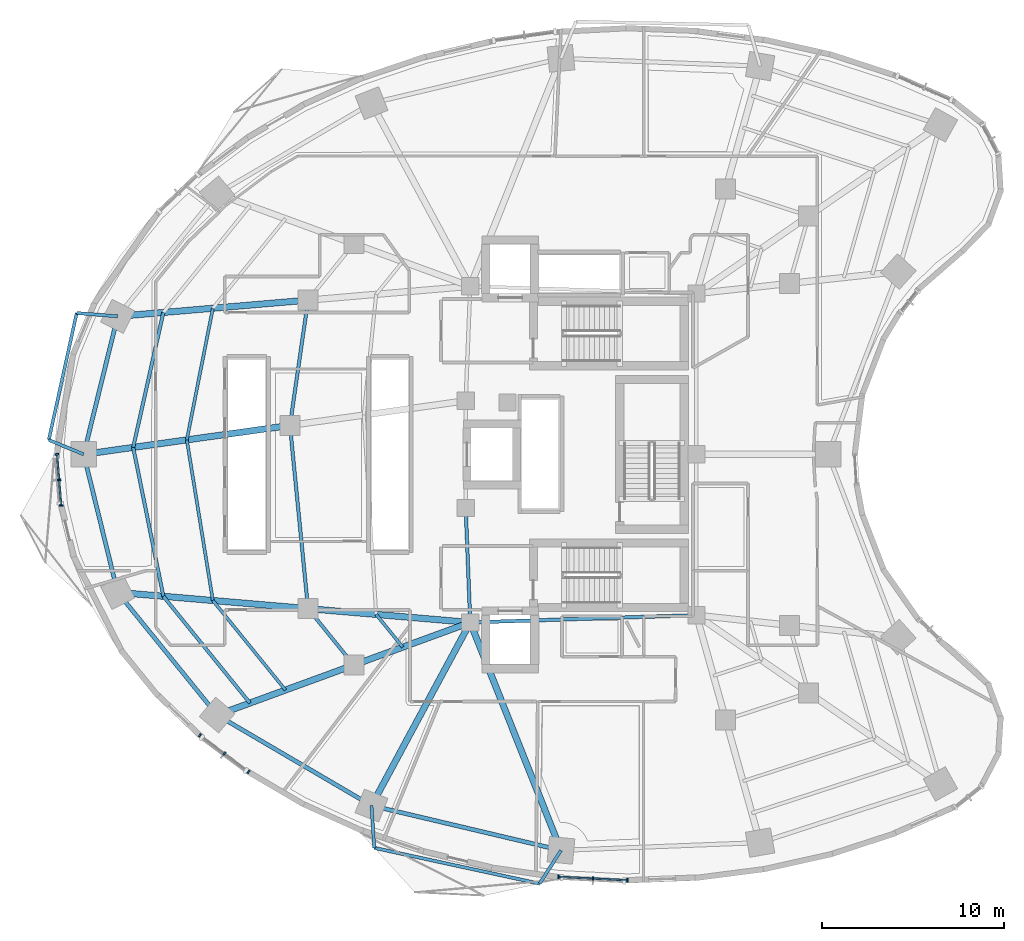
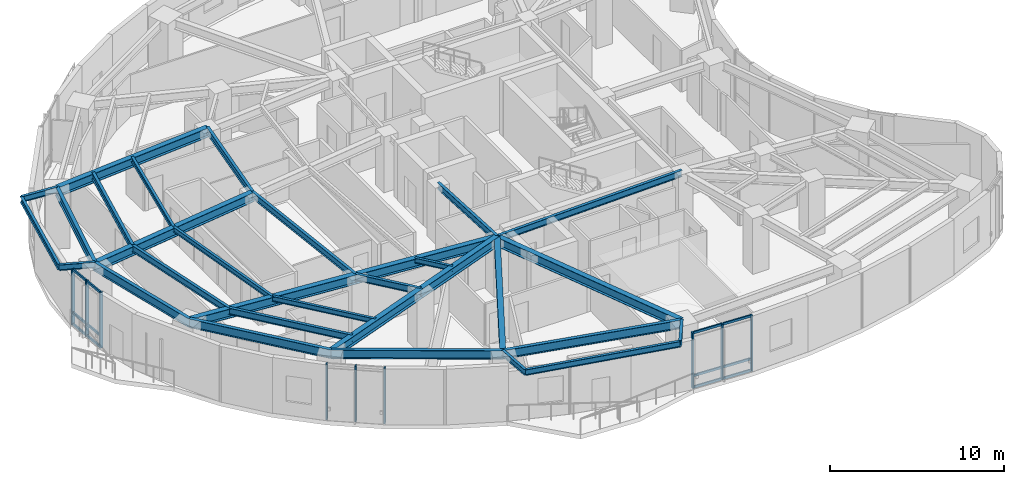
# One storey, part 2 of 15: 31 beams, 21 members, 3 elements without a shape of their own.
"""IFC4 building model written with IfcOpenShell, lengths in metres."""

from ifc_helpers import new_model, si_unit, direction, frame, origin, origin_2d, place, context, subcontext, project, spatial, rectangle, i_section, extrude, material, layer, layer_set, material_profile, profile_set, type_object, element, aggregate, save


model = new_model("IFC4")

# Units and contexts
model_context = context("Model", 3, precision=1e-05, world=origin(), true_north=direction((0.0, 1.0)))
body_context = subcontext(model_context, "Body", "Model", "MODEL_VIEW")
ifc_project = project(units=[si_unit("LENGTHUNIT", "METRE"), si_unit("AREAUNIT", "SQUARE_METRE"), si_unit("VOLUMEUNIT", "CUBIC_METRE"), si_unit("PLANEANGLEUNIT", "RADIAN"), si_unit("MASSUNIT", "GRAM", prefix="KILO")], contexts=[model_context])

# Site, building, storey
site_placement = place(None, origin())
site = spatial("IfcSite", under=ifc_project, at=site_placement, CompositionType="ELEMENT")
building_placement = place(site_placement, origin())
building = spatial("IfcBuilding", under=site, at=building_placement, Name="Korentha Bioscience Tower", CompositionType="ELEMENT")
storey_placement = place(building_placement, frame((0.0, 0.0, 38.39990234375)))
storey = spatial("IfcBuildingStorey", under=building, at=storey_placement, Name="L08", CompositionType="ELEMENT", Elevation=38.39990234375)

# Beams
ifc_material_1 = material(Name="Steel S355", Category="steel")
ifc_material_profile_1 = material_profile(ifc_material_1, i_section(OverallWidth=0.18994140625, OverallDepth=0.45703125, WebThickness=0.009033203125, FlangeThickness=0.014404296875, at=origin_2d()), Name="Steel S355")
ifc_profile_set_1 = profile_set([ifc_material_profile_1], Name="Steel S355 (MB-460)")
beam_type_1 = type_object("IfcBeamType", Name="Mid-Ring Tie Girder W460x74", PredefinedType="BEAM", material=ifc_profile_set_1)
beam_1_placement = place(storey_placement, frame((16.174072265625, 35.489013671875, 3.671630859375), z_axis=(-0.14286846228, -0.989741684727, 0.0), x_axis=(0.989741684727, -0.14286846228, 0.0)))
element("IfcBeam", 1, at=beam_1_placement, inside=storey, type_object=beam_type_1, Name="L08 Mid-Ring Tie Girder 06", PredefinedType="BEAM", context=body_context, shape_type="SweptSolid", body=[
    extrude(i_section(OverallWidth=0.18994140625, OverallDepth=0.45703125, WebThickness=0.009033203125, FlangeThickness=0.014404296875, at=origin_2d()), origin(), (0.0, 0.0, 1.0), 6.967041015625),
])
beam_2_placement = place(storey_placement, frame((15.1787109375, 28.593505859375, 3.671630859375), z_axis=(0.098243909277, -0.995162365793, 0.0), x_axis=(0.995162365793, 0.098243909277, 0.0)))
element("IfcBeam", 2, at=beam_2_placement, inside=storey, type_object=beam_type_1, Name="L08 Mid-Ring Tie Girder 07", PredefinedType="BEAM", context=body_context, shape_type="SweptSolid", body=[
    extrude(i_section(OverallWidth=0.18994140625, OverallDepth=0.45703125, WebThickness=0.009033203125, FlangeThickness=0.014404296875, at=origin_2d()), origin(), (0.0, 0.0, 1.0), 10.131591796875),
])
beam_3_placement = place(storey_placement, frame((16.174072265625, 18.510986328125, 3.671630859375), z_axis=(0.629790009744, -0.776765436684, 0.0), x_axis=(0.776765436684, 0.629790009744, 0.0)))
element("IfcBeam", 3, at=beam_3_placement, inside=storey, type_object=beam_type_1, Name="L08 Mid-Ring Tie Girder 08", PredefinedType="BEAM", context=body_context, shape_type="SweptSolid", body=[
    extrude(i_section(OverallWidth=0.18994140625, OverallDepth=0.45703125, WebThickness=0.009033203125, FlangeThickness=0.014404296875, at=origin_2d()), origin(), (0.0, 0.0, 1.0), 3.998291015625),
])
beam_4_placement = place(storey_placement, frame((24.85009765625, 24.050048828125, 3.671630859375), z_axis=(0.039651025576, -0.999213588864, 0.0), x_axis=(0.999213588864, 0.039651025576, 0.0)))
element("IfcBeam", 4, at=beam_4_placement, inside=storey, type_object=beam_type_1, Name="L08 Core Ring Tie Girder 04", PredefinedType="BEAM", context=body_context, shape_type="SweptSolid", body=[
    extrude(i_section(OverallWidth=0.18994140625, OverallDepth=0.45703125, WebThickness=0.009033203125, FlangeThickness=0.014404296875, at=origin_2d()), origin(), (0.0, 0.0, 1.0), 6.304931640625),
])
beam_5_placement = place(storey_placement, frame((25.10009765625, 17.75, 3.671630859375), z_axis=(0.999484526071, 0.032104238723, 0.0), x_axis=(-0.032104238723, 0.999484526071, 0.0)))
element("IfcBeam", 5, at=beam_5_placement, inside=storey, type_object=beam_type_1, Name="L08 Core Ring Tie Girder 05", PredefinedType="BEAM", context=body_context, shape_type="SweptSolid", body=[
    extrude(i_section(OverallWidth=0.18994140625, OverallDepth=0.45703125, WebThickness=0.009033203125, FlangeThickness=0.014404296875, at=origin_2d()), origin(), (0.0, 0.0, 1.0), 12.456298828125),
])

# Curtain wall, members
ifc_material_2 = material(Name="Thermally Broken Aluminium Frame", Category="aluminium")
ifc_layer = layer(ifc_material_2, 0.219970703125, Name="Thermally Broken Aluminium Frame")
ifc_layer_set = layer_set([ifc_layer], Name="Thermally Broken Aluminium Frame (CW-T2)")
curtain_wall_type = type_object("IfcCurtainWallType", Name="Solar-Screened Lab Unitised Curtain Wall CW-T2", PredefinedType="USERDEFINED", material=ifc_layer_set)
curtain_wall_1_placement = place(storey_placement, origin())
curtain_wall_1 = element("IfcCurtainWall", 6, at=curtain_wall_1_placement, inside=storey, type_object=curtain_wall_type, Name="L08 Curtain Wall 19", ObjectType="UNITISED", PredefinedType="USERDEFINED")
ifc_material_3 = material(Name="Anodised Aluminium 6063-T6", Category="aluminium")
ifc_material_profile_2 = material_profile(ifc_material_3, rectangle(XDim=0.090087890625, YDim=0.199951171875, at=origin_2d()), Name="Anodised Aluminium 6063-T6")
ifc_profile_set_2 = profile_set([ifc_material_profile_2], Name="Anodised Aluminium 6063-T6 (CW-MUL)")
member_type_1 = type_object("IfcMemberType", Name="Mullion RECT 90x200", PredefinedType="MULLION", material=ifc_profile_set_2)
member_1_placement = place(storey_placement, frame((2.35986328125, 27.0078125, 0.0), z_axis=(0.0, 0.0, 1.0), x_axis=(0.080820466375, -0.996728675325, 0.0)))
member_1 = element("IfcMember", 7, at=member_1_placement, type_object=member_type_1, Name="CW-L08-19 Mullion 1", PredefinedType="MULLION", context=body_context, shape_type="SweptSolid", body=[
    extrude(rectangle(XDim=0.090087890625, YDim=0.199951171875, at=origin_2d()), origin(), (0.0, 0.0, 1.0), 3.900146484375),
])
member_2_placement = place(storey_placement, frame((2.474365234375, 25.597412109375, 0.0), z_axis=(0.0, 0.0, 1.0), x_axis=(0.080820466375, -0.996728675325, 0.0)))
member_2 = element("IfcMember", 8, at=member_2_placement, type_object=member_type_1, Name="CW-L08-19 Mullion 2", PredefinedType="MULLION", context=body_context, shape_type="SweptSolid", body=[
    extrude(rectangle(XDim=0.090087890625, YDim=0.199951171875, at=origin_2d()), origin(), (0.0, 0.0, 1.0), 3.900146484375),
])
member_3_placement = place(storey_placement, frame((2.588623046875, 24.187255859375, 0.0), z_axis=(0.0, 0.0, 1.0), x_axis=(0.080820466375, -0.996728675325, 0.0)))
member_3 = element("IfcMember", 9, at=member_3_placement, type_object=member_type_1, Name="CW-L08-19 Mullion 3", PredefinedType="MULLION", context=body_context, shape_type="SweptSolid", body=[
    extrude(rectangle(XDim=0.090087890625, YDim=0.199951171875, at=origin_2d()), origin(), (0.0, 0.0, 1.0), 3.900146484375),
])

curtain_wall_2_placement = place(storey_placement, origin())
curtain_wall_2 = element("IfcCurtainWall", 10, at=curtain_wall_2_placement, inside=storey, type_object=curtain_wall_type, Name="L08 Curtain Wall 25", ObjectType="UNITISED", PredefinedType="USERDEFINED")
member_4_placement = place(storey_placement, frame((10.2216796875, 11.538818359375, 0.0), z_axis=(0.0, 0.0, 1.0), x_axis=(0.800797909614, -0.598934644145, 0.0)))
member_4 = element("IfcMember", 11, at=member_4_placement, type_object=member_type_1, Name="CW-L08-25 Mullion 1", PredefinedType="MULLION", context=body_context, shape_type="SweptSolid", body=[
    extrude(rectangle(XDim=0.090087890625, YDim=0.199951171875, at=origin_2d()), origin(), (0.0, 0.0, 1.0), 3.900146484375),
])
member_5_placement = place(storey_placement, frame((11.5634765625, 10.53515625, 0.0), z_axis=(0.0, 0.0, 1.0), x_axis=(0.800797909614, -0.598934644145, 0.0)))
member_5 = element("IfcMember", 12, at=member_5_placement, type_object=member_type_1, Name="CW-L08-25 Mullion 2", PredefinedType="MULLION", context=body_context, shape_type="SweptSolid", body=[
    extrude(rectangle(XDim=0.090087890625, YDim=0.199951171875, at=origin_2d()), origin(), (0.0, 0.0, 1.0), 3.900146484375),
])
member_6_placement = place(storey_placement, frame((12.9052734375, 9.53173828125, 0.0), z_axis=(0.0, 0.0, 1.0), x_axis=(0.800797909614, -0.598934644145, 0.0)))
member_6 = element("IfcMember", 13, at=member_6_placement, type_object=member_type_1, Name="CW-L08-25 Mullion 3", PredefinedType="MULLION", context=body_context, shape_type="SweptSolid", body=[
    extrude(rectangle(XDim=0.090087890625, YDim=0.199951171875, at=origin_2d()), origin(), (0.0, 0.0, 1.0), 3.900146484375),
])
aggregate(curtain_wall_2, [member_4, member_5, member_6])

curtain_wall_3_placement = place(storey_placement, origin())
curtain_wall_3 = element("IfcCurtainWall", 14, at=curtain_wall_3_placement, inside=storey, type_object=curtain_wall_type, Name="L08 Curtain Wall 31", ObjectType="UNITISED", PredefinedType="USERDEFINED")
member_7_placement = place(storey_placement, frame((29.9541015625, 3.75244140625, 0.0), z_axis=(0.0, 0.0, 1.0), x_axis=(0.998730551641, -0.050371472279, 0.0)))
member_7 = element("IfcMember", 15, at=member_7_placement, type_object=member_type_1, Name="CW-L08-31 Mullion 1", PredefinedType="MULLION", context=body_context, shape_type="SweptSolid", body=[
    extrude(rectangle(XDim=0.090087890625, YDim=0.199951171875, at=origin_2d()), origin(), (0.0, 0.0, 1.0), 3.900146484375),
])
member_8_placement = place(storey_placement, frame((31.855224609375, 3.656494140625, 0.0), z_axis=(0.0, 0.0, 1.0), x_axis=(0.998730551641, -0.050371472279, 0.0)))
member_8 = element("IfcMember", 16, at=member_8_placement, type_object=member_type_1, Name="CW-L08-31 Mullion 2", PredefinedType="MULLION", context=body_context, shape_type="SweptSolid", body=[
    extrude(rectangle(XDim=0.090087890625, YDim=0.199951171875, at=origin_2d()), origin(), (0.0, 0.0, 1.0), 3.900146484375),
])
member_9_placement = place(storey_placement, frame((33.75634765625, 3.560791015625, 0.0), z_axis=(0.0, 0.0, 1.0), x_axis=(0.998730551641, -0.050371472279, 0.0)))
member_9 = element("IfcMember", 17, at=member_9_placement, type_object=member_type_1, Name="CW-L08-31 Mullion 3", PredefinedType="MULLION", context=body_context, shape_type="SweptSolid", body=[
    extrude(rectangle(XDim=0.090087890625, YDim=0.199951171875, at=origin_2d()), origin(), (0.0, 0.0, 1.0), 3.900146484375),
])

# Beams
ifc_material_profile_3 = material_profile(ifc_material_1, i_section(OverallWidth=0.22802734375, OverallDepth=0.60791015625, WebThickness=0.01123046875, FlangeThickness=0.017333984375, at=origin_2d()), Name="Steel S355")
ifc_profile_set_3 = profile_set([ifc_material_profile_3], Name="Steel S355 (SB-610)")
beam_type_2 = type_object("IfcBeamType", Name="Perimeter Ring Spandrel Girder W610x113", PredefinedType="SPANDREL", material=ifc_profile_set_3)
beam_6_placement = place(storey_placement, frame((5.69580078125, 34.595703125, 3.59619140625), z_axis=(-0.239119105624, -0.970990243682, 0.0), x_axis=(0.970990243682, -0.239119105624, 0.0)))
element("IfcBeam", 18, at=beam_6_placement, inside=storey, type_object=beam_type_2, Name="L08 Perimeter Spandrel Girder 06", PredefinedType="SPANDREL", context=body_context, shape_type="SweptSolid", body=[
    extrude(i_section(OverallWidth=0.22802734375, OverallDepth=0.60791015625, WebThickness=0.01123046875, FlangeThickness=0.017333984375, at=origin_2d()), origin(), (0.0, 0.0, 1.0), 7.82177734375),
])
beam_7_placement = place(storey_placement, frame((3.825439453125, 27.000732421875, 3.59619140625), z_axis=(0.23907563132, -0.971000948768, 0.0), x_axis=(0.971000948768, 0.23907563132, 0.0)))
element("IfcBeam", 19, at=beam_7_placement, inside=storey, type_object=beam_type_2, Name="L08 Perimeter Spandrel Girder 07", PredefinedType="SPANDREL", context=body_context, shape_type="SweptSolid", body=[
    extrude(i_section(OverallWidth=0.22802734375, OverallDepth=0.60791015625, WebThickness=0.01123046875, FlangeThickness=0.017333984375, at=origin_2d()), origin(), (0.0, 0.0, 1.0), 7.8232421875),
])
beam_8_placement = place(storey_placement, frame((5.69580078125, 19.404296875, 3.59619140625), z_axis=(0.629799210231, -0.776757976974, 0.0), x_axis=(0.776757976974, 0.629799210231, 0.0)))
element("IfcBeam", 20, at=beam_8_placement, inside=storey, type_object=beam_type_2, Name="L08 Perimeter Spandrel Girder 08", PredefinedType="SPANDREL", context=body_context, shape_type="SweptSolid", body=[
    extrude(i_section(OverallWidth=0.22802734375, OverallDepth=0.60791015625, WebThickness=0.01123046875, FlangeThickness=0.017333984375, at=origin_2d()), origin(), (0.0, 0.0, 1.0), 8.69189453125),
])
beam_9_placement = place(storey_placement, frame((11.169921875, 12.65283203125, 3.59619140625), z_axis=(0.862656574181, -0.505790109653, 0.0), x_axis=(0.505790109653, 0.862656574181, 0.0)))
element("IfcBeam", 21, at=beam_9_placement, inside=storey, type_object=beam_type_2, Name="L08 Perimeter Spandrel Girder 09", PredefinedType="SPANDREL", context=body_context, shape_type="SweptSolid", body=[
    extrude(i_section(OverallWidth=0.22802734375, OverallDepth=0.60791015625, WebThickness=0.01123046875, FlangeThickness=0.017333984375, at=origin_2d()), origin(), (0.0, 0.0, 1.0), 9.849365234375),
])
beam_10_placement = place(storey_placement, frame((19.66650390625, 7.671142578125, 3.59619140625), z_axis=(0.973207885376, -0.229926970672, 0.0), x_axis=(0.229926970672, 0.973207885376, 0.0)))
element("IfcBeam", 22, at=beam_10_placement, inside=storey, type_object=beam_type_2, Name="L08 Perimeter Spandrel Girder 10", PredefinedType="SPANDREL", context=body_context, shape_type="SweptSolid", body=[
    extrude(i_section(OverallWidth=0.22802734375, OverallDepth=0.60791015625, WebThickness=0.01123046875, FlangeThickness=0.017333984375, at=origin_2d()), origin(), (0.0, 0.0, 1.0), 10.71484375),
])
ifc_material_profile_4 = material_profile(ifc_material_1, i_section(OverallWidth=0.18994140625, OverallDepth=0.45703125, WebThickness=0.009033203125, FlangeThickness=0.014404296875, at=origin_2d()), Name="Steel S355")
ifc_profile_set_4 = profile_set([ifc_material_profile_4], Name="Steel S355 (RB-460)")
beam_type_3 = type_object("IfcBeamType", Name="Radial Laboratory Beam W460x74", PredefinedType="BEAM", material=ifc_profile_set_4)
beam_11_placement = place(storey_placement, frame((8.21044921875, 34.81005859375, 3.671630859375), z_axis=(-0.218146323162, -0.975916073077, 0.0), x_axis=(0.975916073077, -0.218146323162, 0.0)))
element("IfcBeam", 23, at=beam_11_placement, inside=storey, type_object=beam_type_3, Name="L08 Secondary Floor Beam JSTO-06", PredefinedType="BEAM", context=body_context, shape_type="SweptSolid", body=[
    extrude(i_section(OverallWidth=0.18994140625, OverallDepth=0.45703125, WebThickness=0.009033203125, FlangeThickness=0.014404296875, at=origin_2d()), origin(), (0.0, 0.0, 1.0), 7.6103515625),
])
beam_12_placement = place(storey_placement, frame((6.55029296875, 27.383056640625, 3.671630859375), z_axis=(0.198592296955, -0.980082190222, 0.0), x_axis=(0.980082190222, 0.198592296955, 0.0)))
element("IfcBeam", 24, at=beam_12_placement, inside=storey, type_object=beam_type_3, Name="L08 Secondary Floor Beam JSTO-07", PredefinedType="BEAM", context=body_context, shape_type="SweptSolid", body=[
    extrude(i_section(OverallWidth=0.18994140625, OverallDepth=0.45703125, WebThickness=0.009033203125, FlangeThickness=0.014404296875, at=origin_2d()), origin(), (0.0, 0.0, 1.0), 8.359619140625),
])
beam_13_placement = place(storey_placement, frame((8.21044921875, 19.18994140625, 3.671630859375), z_axis=(0.629797748553, -0.776759162107, 0.0), x_axis=(0.776759162107, 0.629797748553, 0.0)))
element("IfcBeam", 25, at=beam_13_placement, inside=storey, type_object=beam_type_3, Name="L08 Secondary Floor Beam JSTO-08", PredefinedType="BEAM", context=body_context, shape_type="SweptSolid", body=[
    extrude(i_section(OverallWidth=0.18994140625, OverallDepth=0.45703125, WebThickness=0.009033203125, FlangeThickness=0.014404296875, at=origin_2d()), origin(), (0.0, 0.0, 1.0), 7.5654296875),
])
ifc_material_profile_5 = material_profile(ifc_material_1, i_section(OverallWidth=0.35009765625, OverallDepth=0.64990234375, WebThickness=0.01611328125, FlangeThickness=0.02490234375, at=origin_2d()), Name="Steel S355")
ifc_profile_set_5 = profile_set([ifc_material_profile_5], Name="Steel S355 (RB-650)")
beam_type_4 = type_object("IfcBeamType", Name="Radial Laboratory Girder CVS 650x208", PredefinedType="BEAM", material=ifc_profile_set_5)
beam_14_placement = place(storey_placement, frame((16.174072265625, 35.489013671875, 3.5751953125), z_axis=(-0.996385601055, -0.084945476695, 0.0), x_axis=(0.084945476695, -0.996385601055, 0.0)))
element("IfcBeam", 26, at=beam_14_placement, inside=storey, type_object=beam_type_4, Name="L08 Outer Radial Girder 06", PredefinedType="BEAM", context=body_context, shape_type="SweptSolid", body=[
    extrude(i_section(OverallWidth=0.35009765625, OverallDepth=0.64990234375, WebThickness=0.01611328125, FlangeThickness=0.02490234375, at=origin_2d()), origin(), (0.0, 0.0, 1.0), 10.516357421875),
])
beam_15_placement = place(storey_placement, frame((15.1787109375, 28.593505859375, 3.5751953125), z_axis=(-0.99030199745, -0.138931471762, 0.0), x_axis=(0.138931471762, -0.99030199745, 0.0)))
element("IfcBeam", 27, at=beam_15_placement, inside=storey, type_object=beam_type_4, Name="L08 Outer Radial Girder 07", PredefinedType="BEAM", context=body_context, shape_type="SweptSolid", body=[
    extrude(i_section(OverallWidth=0.35009765625, OverallDepth=0.64990234375, WebThickness=0.01611328125, FlangeThickness=0.02490234375, at=origin_2d()), origin(), (0.0, 0.0, 1.0), 11.46435546875),
])
beam_16_placement = place(storey_placement, frame((25.10009765625, 17.75, 3.5751953125), z_axis=(-0.996385503026, 0.08494662654, 0.0), x_axis=(-0.08494662654, -0.996385503026, 0.0)))
element("IfcBeam", 28, at=beam_16_placement, inside=storey, type_object=beam_type_4, Name="L08 Inner Radial Girder 08", PredefinedType="BEAM", context=body_context, shape_type="SweptSolid", body=[
    extrude(i_section(OverallWidth=0.35009765625, OverallDepth=0.64990234375, WebThickness=0.01611328125, FlangeThickness=0.02490234375, at=origin_2d()), origin(), (0.0, 0.0, 1.0), 8.95849609375),
])
beam_17_placement = place(storey_placement, frame((16.174072265625, 18.510986328125, 3.5751953125), z_axis=(-0.996385601055, 0.084945476695, 0.0), x_axis=(-0.084945476695, -0.996385601055, 0.0)))
element("IfcBeam", 29, at=beam_17_placement, inside=storey, type_object=beam_type_4, Name="L08 Outer Radial Girder 08", PredefinedType="BEAM", context=body_context, shape_type="SweptSolid", body=[
    extrude(i_section(OverallWidth=0.35009765625, OverallDepth=0.64990234375, WebThickness=0.01611328125, FlangeThickness=0.02490234375, at=origin_2d()), origin(), (0.0, 0.0, 1.0), 10.516357421875),
])
beam_18_placement = place(storey_placement, frame((25.10009765625, 17.75, 3.5751953125), z_axis=(-0.939106237741, -0.343626940498, 0.0), x_axis=(0.343626940498, -0.939106237741, 0.0)))
element("IfcBeam", 30, at=beam_18_placement, inside=storey, type_object=beam_type_4, Name="L08 Inner Radial Girder 09", PredefinedType="BEAM", context=body_context, shape_type="SweptSolid", body=[
    extrude(i_section(OverallWidth=0.35009765625, OverallDepth=0.64990234375, WebThickness=0.01611328125, FlangeThickness=0.02490234375, at=origin_2d()), origin(), (0.0, 0.0, 1.0), 6.823486328125),
])
beam_19_placement = place(storey_placement, frame((18.692138671875, 15.4052734375, 3.5751953125), z_axis=(-0.939106299948, -0.343626770491, 0.0), x_axis=(0.343626770491, -0.939106299948, 0.0)))
element("IfcBeam", 31, at=beam_19_placement, inside=storey, type_object=beam_type_4, Name="L08 Outer Radial Girder 09", PredefinedType="BEAM", context=body_context, shape_type="SweptSolid", body=[
    extrude(i_section(OverallWidth=0.35009765625, OverallDepth=0.64990234375, WebThickness=0.01611328125, FlangeThickness=0.02490234375, at=origin_2d()), origin(), (0.0, 0.0, 1.0), 8.010009765625),
])
beam_20_placement = place(storey_placement, frame((25.10009765625, 17.75, 3.5751953125), z_axis=(-0.47454097106, -0.880233416081, 0.0), x_axis=(0.880233416081, -0.47454097106, 0.0)))
element("IfcBeam", 32, at=beam_20_placement, inside=storey, type_object=beam_type_4, Name="L08 Radial Girder 10", PredefinedType="BEAM", context=body_context, shape_type="SweptSolid", body=[
    extrude(i_section(OverallWidth=0.35009765625, OverallDepth=0.64990234375, WebThickness=0.01611328125, FlangeThickness=0.02490234375, at=origin_2d()), origin(), (0.0, 0.0, 1.0), 11.4501953125),
])
beam_21_placement = place(storey_placement, frame((25.10009765625, 17.75, 3.5751953125), z_axis=(0.369931007413, -0.929059228335, 0.0), x_axis=(0.929059228335, 0.369931007413, 0.0)))
element("IfcBeam", 33, at=beam_21_placement, inside=storey, type_object=beam_type_4, Name="L08 Radial Girder 11", PredefinedType="BEAM", context=body_context, shape_type="SweptSolid", body=[
    extrude(i_section(OverallWidth=0.35009765625, OverallDepth=0.64990234375, WebThickness=0.01611328125, FlangeThickness=0.02490234375, at=origin_2d()), origin(), (0.0, 0.0, 1.0), 13.500244140625),
])
ifc_material_profile_6 = material_profile(ifc_material_1, i_section(OverallWidth=0.1708984375, OverallDepth=0.35498046875, WebThickness=0.007080078125, FlangeThickness=0.01171875, at=origin_2d()), Name="Steel S355")
ifc_profile_set_6 = profile_set([ifc_material_profile_6], Name="Steel S355 (JB-360)")
beam_type_5 = type_object("IfcBeamType", Name="Secondary Laboratory Joist W360x51", PredefinedType="JOIST", material=ifc_profile_set_6)
beam_22_placement = place(storey_placement, frame((10.934814453125, 35.042236328125, 3.72265625), z_axis=(-0.193979665978, -0.981005550029, 0.0), x_axis=(0.981005550029, -0.193979665978, 0.0)))
element("IfcBeam", 34, at=beam_22_placement, inside=storey, type_object=beam_type_5, Name="L08 Secondary Floor Beam JST-06", PredefinedType="JOIST", context=body_context, shape_type="SweptSolid", body=[
    extrude(i_section(OverallWidth=0.1708984375, OverallDepth=0.35498046875, WebThickness=0.007080078125, FlangeThickness=0.01171875, at=origin_2d()), origin(), (0.0, 0.0, 1.0), 7.385498046875),
])
beam_23_placement = place(storey_placement, frame((9.502197265625, 27.797119140625, 3.72265625), z_axis=(0.159984999905, -0.987119445561, 0.0), x_axis=(0.987119445561, 0.159984999905, 0.0)))
element("IfcBeam", 35, at=beam_23_placement, inside=storey, type_object=beam_type_5, Name="L08 Secondary Floor Beam JST-07", PredefinedType="JOIST", context=body_context, shape_type="SweptSolid", body=[
    extrude(i_section(OverallWidth=0.1708984375, OverallDepth=0.35498046875, WebThickness=0.007080078125, FlangeThickness=0.01171875, at=origin_2d()), origin(), (0.0, 0.0, 1.0), 8.95458984375),
])
beam_24_placement = place(storey_placement, frame((10.934814453125, 18.957763671875, 3.72265625), z_axis=(0.629786899984, -0.776767958021, 0.0), x_axis=(0.776767958021, 0.629786899984, 0.0)))
element("IfcBeam", 36, at=beam_24_placement, inside=storey, type_object=beam_type_5, Name="L08 Secondary Floor Beam JST-08", PredefinedType="JOIST", context=body_context, shape_type="SweptSolid", body=[
    extrude(i_section(OverallWidth=0.1708984375, OverallDepth=0.35498046875, WebThickness=0.007080078125, FlangeThickness=0.01171875, at=origin_2d()), origin(), (0.0, 0.0, 1.0), 6.34521484375),
])
beam_25_placement = place(storey_placement, frame((19.9228515625, 18.19140625, 3.72265625), z_axis=(0.629791657613, -0.776764100613, 0.0), x_axis=(0.776764100613, 0.629791657613, 0.0)))
element("IfcBeam", 37, at=beam_25_placement, inside=storey, type_object=beam_type_5, Name="L08 Inner Bay Joist 08", PredefinedType="JOIST", context=body_context, shape_type="SweptSolid", body=[
    extrude(i_section(OverallWidth=0.1708984375, OverallDepth=0.35498046875, WebThickness=0.007080078125, FlangeThickness=0.01171875, at=origin_2d()), origin(), (0.0, 0.0, 1.0), 2.31884765625),
])
ifc_material_profile_7 = material_profile(ifc_material_1, i_section(OverallWidth=0.177978515625, OverallDepth=0.406982421875, WebThickness=0.0078125, FlangeThickness=0.0126953125, at=origin_2d()), Name="Steel S355")
ifc_profile_set_7 = profile_set([ifc_material_profile_7], Name="Steel S355 (CB-410)")
beam_type_6 = type_object("IfcBeamType", Name="Sun-Ledge Cantilever Beam W410x60", PredefinedType="BEAM", material=ifc_profile_set_7)
beam_26_placement = place(storey_placement, frame((5.69580078125, 34.595703125, 3.698486328125), z_axis=(-0.996665296281, 0.08159832835, 0.0), x_axis=(-0.08159832835, -0.996665296281, 0.0)))
element("IfcBeam", 38, at=beam_26_placement, inside=storey, type_object=beam_type_6, Name="L08 Balcony Cantilever Bracket A-L09-02", PredefinedType="BEAM", context=body_context, shape_type="SweptSolid", body=[
    extrude(i_section(OverallWidth=0.177978515625, OverallDepth=0.406982421875, WebThickness=0.0078125, FlangeThickness=0.0126953125, at=origin_2d()), origin(), (0.0, 0.0, 1.0), 2.261962890625),
])
beam_27_placement = place(storey_placement, frame((3.825439453125, 27.000732421875, 3.698486328125), z_axis=(-0.924185686215, 0.381943474084, 0.0), x_axis=(-0.381943474084, -0.924185686215, 0.0)))
element("IfcBeam", 39, at=beam_27_placement, inside=storey, type_object=beam_type_6, Name="L08 Balcony Cantilever Bracket B-L09-02", PredefinedType="BEAM", context=body_context, shape_type="SweptSolid", body=[
    extrude(i_section(OverallWidth=0.177978515625, OverallDepth=0.406982421875, WebThickness=0.0078125, FlangeThickness=0.0126953125, at=origin_2d()), origin(), (0.0, 0.0, 1.0), 2.077392578125),
])
beam_28_placement = place(storey_placement, frame((3.44140625, 34.7802734375, 3.698486328125), z_axis=(-0.214721790189, -0.976675254533, 0.0), x_axis=(0.976675254533, -0.214721790189, 0.0)))
element("IfcBeam", 40, at=beam_28_placement, inside=storey, type_object=beam_type_6, Name="L08 Balcony Edge Trimmer Beam L09-02", PredefinedType="BEAM", context=body_context, shape_type="SweptSolid", body=[
    extrude(i_section(OverallWidth=0.177978515625, OverallDepth=0.406982421875, WebThickness=0.0078125, FlangeThickness=0.0126953125, at=origin_2d()), origin(), (0.0, 0.0, 1.0), 7.15283203125),
])
beam_29_placement = place(storey_placement, frame((19.66650390625, 7.671142578125, 3.698486328125), z_axis=(0.064092946504, -0.997943933399, 0.0), x_axis=(0.997943933399, 0.064092946504, 0.0)))
element("IfcBeam", 41, at=beam_29_placement, inside=storey, type_object=beam_type_6, Name="L08 Balcony Cantilever Bracket A-L09-03", PredefinedType="BEAM", context=body_context, shape_type="SweptSolid", body=[
    extrude(i_section(OverallWidth=0.177978515625, OverallDepth=0.406982421875, WebThickness=0.0078125, FlangeThickness=0.0126953125, at=origin_2d()), origin(), (0.0, 0.0, 1.0), 2.331298828125),
])
beam_30_placement = place(storey_placement, frame((30.09423828125, 5.20751953125, 3.698486328125), z_axis=(-0.539323950512, -0.842098376916, 0.0), x_axis=(0.842098376916, -0.539323950512, 0.0)))
element("IfcBeam", 42, at=beam_30_placement, inside=storey, type_object=beam_type_6, Name="L08 Balcony Cantilever Bracket B-L09-03", PredefinedType="BEAM", context=body_context, shape_type="SweptSolid", body=[
    extrude(i_section(OverallWidth=0.177978515625, OverallDepth=0.406982421875, WebThickness=0.0078125, FlangeThickness=0.0126953125, at=origin_2d()), origin(), (0.0, 0.0, 1.0), 2.1787109375),
])
beam_31_placement = place(storey_placement, frame((19.81591796875, 5.3447265625, 3.698486328125), z_axis=(0.977333174115, -0.211707030529, 0.0), x_axis=(0.211707030529, 0.977333174115, 0.0)))
element("IfcBeam", 43, at=beam_31_placement, inside=storey, type_object=beam_type_6, Name="L08 Balcony Edge Trimmer Beam L09-03", PredefinedType="BEAM", context=body_context, shape_type="SweptSolid", body=[
    extrude(i_section(OverallWidth=0.177978515625, OverallDepth=0.406982421875, WebThickness=0.0078125, FlangeThickness=0.0126953125, at=origin_2d()), origin(), (0.0, 0.0, 1.0), 9.314453125),
])

# Member
ifc_material_profile_8 = material_profile(ifc_material_3, rectangle(XDim=0.090087890625, YDim=0.159912109375, at=origin_2d()), Name="Anodised Aluminium 6063-T6")
ifc_profile_set_8 = profile_set([ifc_material_profile_8], Name="Anodised Aluminium 6063-T6 (CW-TRN)")
member_type_2 = type_object("IfcMemberType", Name="Transom RECT 90x160", PredefinedType="USERDEFINED", material=ifc_profile_set_8)
member_10_placement = place(storey_placement, frame((2.363525390625, 26.963134765625, 0.045166015625), z_axis=(0.080880177847, -0.996723831777, 0.0), x_axis=(0.996723831777, 0.080880177847, 0.0)))
member_10 = element("IfcMember", 44, at=member_10_placement, type_object=member_type_2, Name="CW-L08-19 Bay 1 Transom 1", ObjectType="TRANSOM", PredefinedType="USERDEFINED", context=body_context, shape_type="SweptSolid", body=[
    extrude(rectangle(XDim=0.090087890625, YDim=0.159912109375, at=origin_2d()), origin(), (0.0, 0.0, 1.0), 1.3251953125),
])

member_11_placement = place(storey_placement, frame((2.363525390625, 26.963134765625, 0.85009765625), z_axis=(0.080880177847, -0.996723831777, 0.0), x_axis=(0.996723831777, 0.080880177847, 0.0)))
member_11 = element("IfcMember", 45, at=member_11_placement, type_object=member_type_2, Name="CW-L08-19 Bay 1 Transom 2", ObjectType="TRANSOM", PredefinedType="USERDEFINED", context=body_context, shape_type="SweptSolid", body=[
    extrude(rectangle(XDim=0.090087890625, YDim=0.159912109375, at=origin_2d()), origin(), (0.0, 0.0, 1.0), 1.3251953125),
])

member_12_placement = place(storey_placement, frame((2.363525390625, 26.963134765625, 3.85498046875), z_axis=(0.080880177847, -0.996723831777, 0.0), x_axis=(0.996723831777, 0.080880177847, 0.0)))
member_12 = element("IfcMember", 46, at=member_12_placement, type_object=member_type_2, Name="CW-L08-19 Bay 1 Transom 3", ObjectType="TRANSOM", PredefinedType="USERDEFINED", context=body_context, shape_type="SweptSolid", body=[
    extrude(rectangle(XDim=0.090087890625, YDim=0.159912109375, at=origin_2d()), origin(), (0.0, 0.0, 1.0), 1.3251953125),
])

member_13_placement = place(storey_placement, frame((2.477783203125, 25.552734375, 0.045166015625), z_axis=(0.080880177847, -0.996723831777, 0.0), x_axis=(0.996723831777, 0.080880177847, 0.0)))
member_13 = element("IfcMember", 47, at=member_13_placement, type_object=member_type_2, Name="CW-L08-19 Bay 2 Transom 1", ObjectType="TRANSOM", PredefinedType="USERDEFINED", context=body_context, shape_type="SweptSolid", body=[
    extrude(rectangle(XDim=0.090087890625, YDim=0.159912109375, at=origin_2d()), origin(), (0.0, 0.0, 1.0), 1.3251953125),
])

member_14_placement = place(storey_placement, frame((2.477783203125, 25.552734375, 0.85009765625), z_axis=(0.080880177847, -0.996723831777, 0.0), x_axis=(0.996723831777, 0.080880177847, 0.0)))
member_14 = element("IfcMember", 48, at=member_14_placement, type_object=member_type_2, Name="CW-L08-19 Bay 2 Transom 2", ObjectType="TRANSOM", PredefinedType="USERDEFINED", context=body_context, shape_type="SweptSolid", body=[
    extrude(rectangle(XDim=0.090087890625, YDim=0.159912109375, at=origin_2d()), origin(), (0.0, 0.0, 1.0), 1.3251953125),
])

member_15_placement = place(storey_placement, frame((2.477783203125, 25.552734375, 3.85498046875), z_axis=(0.080880177847, -0.996723831777, 0.0), x_axis=(0.996723831777, 0.080880177847, 0.0)))
member_15 = element("IfcMember", 49, at=member_15_placement, type_object=member_type_2, Name="CW-L08-19 Bay 2 Transom 3", ObjectType="TRANSOM", PredefinedType="USERDEFINED", context=body_context, shape_type="SweptSolid", body=[
    extrude(rectangle(XDim=0.090087890625, YDim=0.159912109375, at=origin_2d()), origin(), (0.0, 0.0, 1.0), 1.3251953125),
])

aggregate(curtain_wall_1, [member_1, member_2, member_3, member_10, member_11, member_12, member_13, member_14, member_15])

member_16_placement = place(storey_placement, frame((29.9990234375, 3.750244140625, 0.045166015625), z_axis=(0.998731776836, -0.050347174085, 0.0), x_axis=(0.050347174085, 0.998731776836, 0.0)))
member_16 = element("IfcMember", 50, at=member_16_placement, type_object=member_type_2, Name="CW-L08-31 Bay 1 Transom 1", ObjectType="TRANSOM", PredefinedType="USERDEFINED", context=body_context, shape_type="SweptSolid", body=[
    extrude(rectangle(XDim=0.090087890625, YDim=0.159912109375, at=origin_2d()), origin(), (0.0, 0.0, 1.0), 1.8134765625),
])

member_17_placement = place(storey_placement, frame((29.9990234375, 3.750244140625, 0.85009765625), z_axis=(0.998731776836, -0.050347174085, 0.0), x_axis=(0.050347174085, 0.998731776836, 0.0)))
member_17 = element("IfcMember", 51, at=member_17_placement, type_object=member_type_2, Name="CW-L08-31 Bay 1 Transom 2", ObjectType="TRANSOM", PredefinedType="USERDEFINED", context=body_context, shape_type="SweptSolid", body=[
    extrude(rectangle(XDim=0.090087890625, YDim=0.159912109375, at=origin_2d()), origin(), (0.0, 0.0, 1.0), 1.8134765625),
])

member_18_placement = place(storey_placement, frame((29.9990234375, 3.750244140625, 3.85498046875), z_axis=(0.998731776836, -0.050347174085, 0.0), x_axis=(0.050347174085, 0.998731776836, 0.0)))
member_18 = element("IfcMember", 52, at=member_18_placement, type_object=member_type_2, Name="CW-L08-31 Bay 1 Transom 3", ObjectType="TRANSOM", PredefinedType="USERDEFINED", context=body_context, shape_type="SweptSolid", body=[
    extrude(rectangle(XDim=0.090087890625, YDim=0.159912109375, at=origin_2d()), origin(), (0.0, 0.0, 1.0), 1.8134765625),
])

member_19_placement = place(storey_placement, frame((31.900146484375, 3.654296875, 0.045166015625), z_axis=(0.998731776836, -0.050347174085, 0.0), x_axis=(0.050347174085, 0.998731776836, 0.0)))
member_19 = element("IfcMember", 53, at=member_19_placement, type_object=member_type_2, Name="CW-L08-31 Bay 2 Transom 1", ObjectType="TRANSOM", PredefinedType="USERDEFINED", context=body_context, shape_type="SweptSolid", body=[
    extrude(rectangle(XDim=0.090087890625, YDim=0.159912109375, at=origin_2d()), origin(), (0.0, 0.0, 1.0), 1.8134765625),
])

member_20_placement = place(storey_placement, frame((31.900146484375, 3.654296875, 0.85009765625), z_axis=(0.998731776836, -0.050347174085, 0.0), x_axis=(0.050347174085, 0.998731776836, 0.0)))
member_20 = element("IfcMember", 54, at=member_20_placement, type_object=member_type_2, Name="CW-L08-31 Bay 2 Transom 2", ObjectType="TRANSOM", PredefinedType="USERDEFINED", context=body_context, shape_type="SweptSolid", body=[
    extrude(rectangle(XDim=0.090087890625, YDim=0.159912109375, at=origin_2d()), origin(), (0.0, 0.0, 1.0), 1.8134765625),
])

member_21_placement = place(storey_placement, frame((31.900146484375, 3.654296875, 3.85498046875), z_axis=(0.998731776836, -0.050347174085, 0.0), x_axis=(0.050347174085, 0.998731776836, 0.0)))
member_21 = element("IfcMember", 55, at=member_21_placement, type_object=member_type_2, Name="CW-L08-31 Bay 2 Transom 3", ObjectType="TRANSOM", PredefinedType="USERDEFINED", context=body_context, shape_type="SweptSolid", body=[
    extrude(rectangle(XDim=0.090087890625, YDim=0.159912109375, at=origin_2d()), origin(), (0.0, 0.0, 1.0), 1.8134765625),
])

aggregate(curtain_wall_3, [member_7, member_8, member_9, member_16, member_17, member_18, member_19, member_20, member_21])

save(model, "model.ifc")
